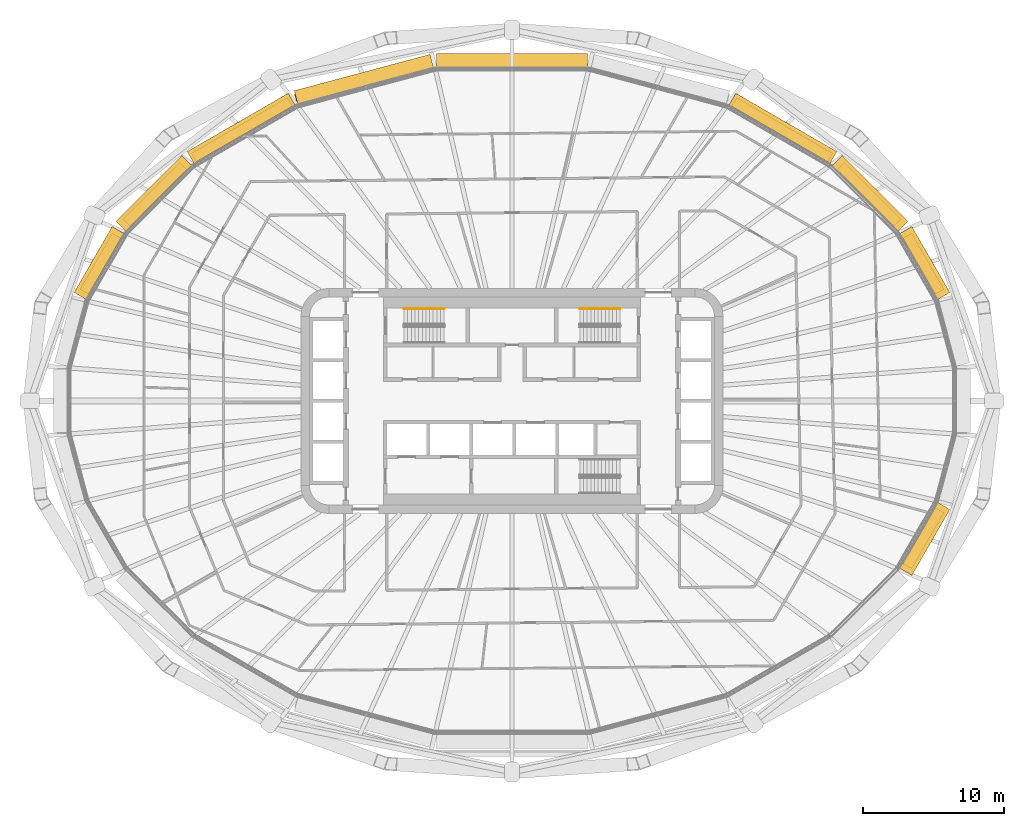
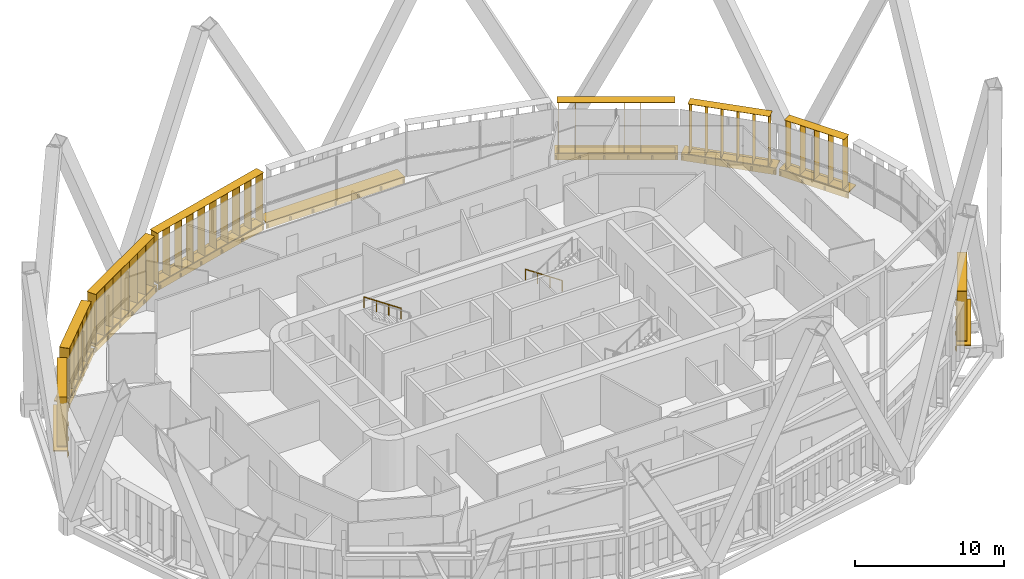
# One storey, part 24 of 25: 17 shading devices, 2 railings.
"""IFC4 building model written with IfcOpenShell, lengths in metres."""

from ifc_helpers import new_model, si_unit, direction, frame, origin, origin_2d, place, context, subcontext, project, spatial, rectangle, circle, extrude, material, type_object, element, save


model = new_model("IFC4")

# Units and contexts
model_context = context("Model", 3, precision=1e-05, world=origin(), true_north=direction((0.0, 1.0)))
body_context = subcontext(model_context, "Body", "Model", "MODEL_VIEW")
ifc_project = project(units=[si_unit("LENGTHUNIT", "METRE"), si_unit("AREAUNIT", "SQUARE_METRE"), si_unit("VOLUMEUNIT", "CUBIC_METRE"), si_unit("PLANEANGLEUNIT", "RADIAN"), si_unit("MASSUNIT", "GRAM", prefix="KILO")], contexts=[model_context])

# Site, building, storey
site_placement = place(None, origin())
site = spatial("IfcSite", under=ifc_project, at=site_placement, CompositionType="ELEMENT")
building_placement = place(site_placement, origin())
building = spatial("IfcBuilding", under=site, at=building_placement, Name="Sahrelin Media Tower", CompositionType="ELEMENT")
storey_placement = place(building_placement, frame((0.0, 0.0, 79.800048828125)))
storey = spatial("IfcBuildingStorey", under=building, at=storey_placement, Name="L14", CompositionType="ELEMENT", Elevation=79.800048828125)

# Shading devices
ifc_material_1 = material(Name="Champagne anodised aluminium 6063-T6", Category="aluminium")
shading_device_type_1 = type_object("IfcShadingDeviceType", Name="Fin cassette", PredefinedType="USERDEFINED", material=ifc_material_1)
placement_1 = place(storey_placement, frame((28.876708984375, 9.5380859375, 0.0), z_axis=(0.0, 0.0, 1.0), x_axis=(0.500011000363, -0.866019052629, 0.0)))
element("IfcShadingDevice", 1, at=placement_1, inside=storey, type_object=shading_device_type_1, Name="L14:FIN:L14-02", ObjectType="FIN", PredefinedType="USERDEFINED", context=body_context, shape_type="SweptSolid", body=[
    extrude(rectangle(XDim=4.60009765625, YDim=0.699951171875, at=origin_2d()), frame((0.0, 0.419921875, 0.0)), (0.0, 0.0, 1.0), 0.02001953125),
    extrude(rectangle(XDim=4.60009765625, YDim=0.699951171875, at=origin_2d()), frame((0.0, 0.419921875, 4.10009765625)), (0.0, 0.0, 1.0), 0.02001953125),
    extrude(rectangle(XDim=0.02001953125, YDim=0.699951171875, at=origin_2d()), frame((-2.199951171875, 0.419921875, 0.010009765625), z_axis=(0.0, 0.0, 1.0), x_axis=(1.0, 0.0, 0.0)), (0.0, 0.0, 1.0), 4.10009765625),
    extrude(rectangle(XDim=0.02001953125, YDim=0.699951171875, at=origin_2d()), frame((-1.10009765625, 0.419921875, 0.010009765625), z_axis=(0.0, 0.0, 1.0), x_axis=(1.0, 0.0, 0.0)), (0.0, 0.0, 1.0), 4.10009765625),
    extrude(rectangle(XDim=0.02001953125, YDim=0.699951171875, at=origin_2d()), frame((0.0, 0.419921875, 0.010009765625), z_axis=(0.0, 0.0, 1.0), x_axis=(1.0, 0.0, 0.0)), (0.0, 0.0, 1.0), 4.10009765625),
    extrude(rectangle(XDim=0.02001953125, YDim=0.699951171875, at=origin_2d()), frame((1.10009765625, 0.419921875, 0.010009765625), z_axis=(0.0, 0.0, 1.0), x_axis=(1.0, 0.0, 0.0)), (0.0, 0.0, 1.0), 4.10009765625),
    extrude(rectangle(XDim=0.02001953125, YDim=0.699951171875, at=origin_2d()), frame((2.199951171875, 0.419921875, 0.010009765625), z_axis=(0.0, 0.0, 1.0), x_axis=(1.0, 0.0, 0.0)), (0.0, 0.0, 1.0), 4.10009765625),
])
placement_2 = place(storey_placement, frame((25.067138671875, 14.373291015625, 0.0), z_axis=(0.0, 0.0, 1.0), x_axis=(0.707106781187, -0.707106781187, 0.0)))
element("IfcShadingDevice", 2, at=placement_2, inside=storey, type_object=shading_device_type_1, Name="L14:FIN:L14-03", ObjectType="FIN", PredefinedType="USERDEFINED", context=body_context, shape_type="SweptSolid", body=[
    extrude(rectangle(XDim=5.699951171875, YDim=0.699951171875, at=origin_2d()), frame((0.0, 0.419921875, 0.0)), (0.0, 0.0, 1.0), 0.02001953125),
    extrude(rectangle(XDim=5.699951171875, YDim=0.699951171875, at=origin_2d()), frame((0.0, 0.419921875, 4.10009765625)), (0.0, 0.0, 1.0), 0.02001953125),
    extrude(rectangle(XDim=0.02001953125, YDim=0.699951171875, at=origin_2d()), frame((-2.75, 0.419921875, 0.010009765625), z_axis=(0.0, 0.0, 1.0), x_axis=(1.0, 0.0, 0.0)), (0.0, 0.0, 1.0), 4.10009765625),
    extrude(rectangle(XDim=0.02001953125, YDim=0.699951171875, at=origin_2d()), frame((-1.64990234375, 0.419921875, 0.010009765625), z_axis=(0.0, 0.0, 1.0), x_axis=(1.0, 0.0, 0.0)), (0.0, 0.0, 1.0), 4.10009765625),
    extrude(rectangle(XDim=0.02001953125, YDim=0.699951171875, at=origin_2d()), frame((-0.550048828125, 0.419921875, 0.010009765625), z_axis=(0.0, 0.0, 1.0), x_axis=(1.0, 0.0, 0.0)), (0.0, 0.0, 1.0), 4.10009765625),
    extrude(rectangle(XDim=0.02001953125, YDim=0.699951171875, at=origin_2d()), frame((0.550048828125, 0.419921875, 0.010009765625), z_axis=(0.0, 0.0, 1.0), x_axis=(1.0, 0.0, 0.0)), (0.0, 0.0, 1.0), 4.10009765625),
    extrude(rectangle(XDim=0.02001953125, YDim=0.699951171875, at=origin_2d()), frame((1.64990234375, 0.419921875, 0.010009765625), z_axis=(0.0, 0.0, 1.0), x_axis=(1.0, 0.0, 0.0)), (0.0, 0.0, 1.0), 4.10009765625),
    extrude(rectangle(XDim=0.02001953125, YDim=0.699951171875, at=origin_2d()), frame((2.75, 0.419921875, 0.010009765625), z_axis=(0.0, 0.0, 1.0), x_axis=(1.0, 0.0, 0.0)), (0.0, 0.0, 1.0), 4.10009765625),
])
placement_3 = place(storey_placement, frame((18.980712890625, 18.905029296875, 0.0), z_axis=(0.0, 0.0, 1.0), x_axis=(0.866019052629, -0.500011000363, 0.0)))
element("IfcShadingDevice", 3, at=placement_3, inside=storey, type_object=shading_device_type_1, Name="L14:FIN:L14-04", ObjectType="FIN", PredefinedType="USERDEFINED", context=body_context, shape_type="SweptSolid", body=[
    extrude(rectangle(XDim=7.89990234375, YDim=0.699951171875, at=origin_2d()), frame((0.0, 0.419921875, 0.0)), (0.0, 0.0, 1.0), 0.02001953125),
    extrude(rectangle(XDim=7.89990234375, YDim=0.699951171875, at=origin_2d()), frame((0.0, 0.419921875, 4.10009765625)), (0.0, 0.0, 1.0), 0.02001953125),
    extrude(rectangle(XDim=0.02001953125, YDim=0.699951171875, at=origin_2d()), frame((-3.85009765625, 0.419921875, 0.010009765625), z_axis=(0.0, 0.0, 1.0), x_axis=(1.0, 0.0, 0.0)), (0.0, 0.0, 1.0), 4.10009765625),
    extrude(rectangle(XDim=0.02001953125, YDim=0.699951171875, at=origin_2d()), frame((-2.75, 0.419921875, 0.010009765625), z_axis=(0.0, 0.0, 1.0), x_axis=(1.0, 0.0, 0.0)), (0.0, 0.0, 1.0), 4.10009765625),
    extrude(rectangle(XDim=0.02001953125, YDim=0.699951171875, at=origin_2d()), frame((-1.64990234375, 0.419921875, 0.010009765625), z_axis=(0.0, 0.0, 1.0), x_axis=(1.0, 0.0, 0.0)), (0.0, 0.0, 1.0), 4.10009765625),
    extrude(rectangle(XDim=0.02001953125, YDim=0.699951171875, at=origin_2d()), frame((-0.550048828125, 0.419921875, 0.010009765625), z_axis=(0.0, 0.0, 1.0), x_axis=(1.0, 0.0, 0.0)), (0.0, 0.0, 1.0), 4.10009765625),
    extrude(rectangle(XDim=0.02001953125, YDim=0.699951171875, at=origin_2d()), frame((0.550048828125, 0.419921875, 0.010009765625), z_axis=(0.0, 0.0, 1.0), x_axis=(1.0, 0.0, 0.0)), (0.0, 0.0, 1.0), 4.10009765625),
    extrude(rectangle(XDim=0.02001953125, YDim=0.699951171875, at=origin_2d()), frame((1.64990234375, 0.419921875, 0.010009765625), z_axis=(0.0, 0.0, 1.0), x_axis=(1.0, 0.0, 0.0)), (0.0, 0.0, 1.0), 4.10009765625),
    extrude(rectangle(XDim=0.02001953125, YDim=0.699951171875, at=origin_2d()), frame((2.75, 0.419921875, 0.010009765625), z_axis=(0.0, 0.0, 1.0), x_axis=(1.0, 0.0, 0.0)), (0.0, 0.0, 1.0), 4.10009765625),
    extrude(rectangle(XDim=0.02001953125, YDim=0.699951171875, at=origin_2d()), frame((3.85009765625, 0.419921875, 0.010009765625), z_axis=(0.0, 0.0, 1.0), x_axis=(1.0, 0.0, 0.0)), (0.0, 0.0, 1.0), 4.10009765625),
])
placement_4 = place(storey_placement, frame((-10.385009765625, 22.346435546875, 0.0), z_axis=(0.0, 0.0, 1.0), x_axis=(0.965928857556, 0.258807731996, 0.0)))
element("IfcShadingDevice", 4, at=placement_4, inside=storey, type_object=shading_device_type_1, Name="L14:FIN:L14-07", ObjectType="FIN", PredefinedType="USERDEFINED", context=body_context, shape_type="SweptSolid", body=[
    extrude(rectangle(XDim=10.10009765625, YDim=0.699951171875, at=origin_2d()), frame((0.0, 0.419921875, 0.0)), (0.0, 0.0, 1.0), 0.02001953125),
    extrude(rectangle(XDim=10.10009765625, YDim=0.699951171875, at=origin_2d()), frame((0.0, 0.419921875, 4.10009765625)), (0.0, 0.0, 1.0), 0.02001953125),
    extrude(rectangle(XDim=0.02001953125, YDim=0.699951171875, at=origin_2d()), frame((-4.949951171875, 0.419921875, 0.010009765625), z_axis=(0.0, 0.0, 1.0), x_axis=(1.0, 0.0, 0.0)), (0.0, 0.0, 1.0), 4.10009765625),
    extrude(rectangle(XDim=0.02001953125, YDim=0.699951171875, at=origin_2d()), frame((-3.85009765625, 0.419921875, 0.010009765625), z_axis=(0.0, 0.0, 1.0), x_axis=(1.0, 0.0, 0.0)), (0.0, 0.0, 1.0), 4.10009765625),
    extrude(rectangle(XDim=0.02001953125, YDim=0.699951171875, at=origin_2d()), frame((-2.75, 0.419921875, 0.010009765625), z_axis=(0.0, 0.0, 1.0), x_axis=(1.0, 0.0, 0.0)), (0.0, 0.0, 1.0), 4.10009765625),
    extrude(rectangle(XDim=0.02001953125, YDim=0.699951171875, at=origin_2d()), frame((-1.64990234375, 0.419921875, 0.010009765625), z_axis=(0.0, 0.0, 1.0), x_axis=(1.0, 0.0, 0.0)), (0.0, 0.0, 1.0), 4.10009765625),
    extrude(rectangle(XDim=0.02001953125, YDim=0.699951171875, at=origin_2d()), frame((-0.550048828125, 0.419921875, 0.010009765625), z_axis=(0.0, 0.0, 1.0), x_axis=(1.0, 0.0, 0.0)), (0.0, 0.0, 1.0), 4.10009765625),
    extrude(rectangle(XDim=0.02001953125, YDim=0.699951171875, at=origin_2d()), frame((0.550048828125, 0.419921875, 0.010009765625), z_axis=(0.0, 0.0, 1.0), x_axis=(1.0, 0.0, 0.0)), (0.0, 0.0, 1.0), 4.10009765625),
    extrude(rectangle(XDim=0.02001953125, YDim=0.699951171875, at=origin_2d()), frame((1.64990234375, 0.419921875, 0.010009765625), z_axis=(0.0, 0.0, 1.0), x_axis=(1.0, 0.0, 0.0)), (0.0, 0.0, 1.0), 4.10009765625),
    extrude(rectangle(XDim=0.02001953125, YDim=0.699951171875, at=origin_2d()), frame((2.75, 0.419921875, 0.010009765625), z_axis=(0.0, 0.0, 1.0), x_axis=(1.0, 0.0, 0.0)), (0.0, 0.0, 1.0), 4.10009765625),
    extrude(rectangle(XDim=0.02001953125, YDim=0.699951171875, at=origin_2d()), frame((3.85009765625, 0.419921875, 0.010009765625), z_axis=(0.0, 0.0, 1.0), x_axis=(1.0, 0.0, 0.0)), (0.0, 0.0, 1.0), 4.10009765625),
    extrude(rectangle(XDim=0.02001953125, YDim=0.699951171875, at=origin_2d()), frame((4.949951171875, 0.419921875, 0.010009765625), z_axis=(0.0, 0.0, 1.0), x_axis=(1.0, 0.0, 0.0)), (0.0, 0.0, 1.0), 4.10009765625),
])
placement_5 = place(storey_placement, frame((-18.98095703125, 18.9052734375, 0.0), z_axis=(0.0, 0.0, 1.0), x_axis=(0.866019052629, 0.500011000363, 0.0)))
element("IfcShadingDevice", 5, at=placement_5, inside=storey, type_object=shading_device_type_1, Name="L14:FIN:L14-08", ObjectType="FIN", PredefinedType="USERDEFINED", context=body_context, shape_type="SweptSolid", body=[
    extrude(rectangle(XDim=7.89990234375, YDim=0.699951171875, at=origin_2d()), frame((0.0, 0.419921875, 0.0)), (0.0, 0.0, 1.0), 0.02001953125),
    extrude(rectangle(XDim=7.89990234375, YDim=0.699951171875, at=origin_2d()), frame((0.0, 0.419921875, 4.10009765625)), (0.0, 0.0, 1.0), 0.02001953125),
    extrude(rectangle(XDim=0.02001953125, YDim=0.699951171875, at=origin_2d()), frame((-3.85009765625, 0.419921875, 0.010009765625), z_axis=(0.0, 0.0, 1.0), x_axis=(1.0, 0.0, 0.0)), (0.0, 0.0, 1.0), 4.10009765625),
    extrude(rectangle(XDim=0.02001953125, YDim=0.699951171875, at=origin_2d()), frame((-2.75, 0.419921875, 0.010009765625), z_axis=(0.0, 0.0, 1.0), x_axis=(1.0, 0.0, 0.0)), (0.0, 0.0, 1.0), 4.10009765625),
    extrude(rectangle(XDim=0.02001953125, YDim=0.699951171875, at=origin_2d()), frame((-1.64990234375, 0.419921875, 0.010009765625), z_axis=(0.0, 0.0, 1.0), x_axis=(1.0, 0.0, 0.0)), (0.0, 0.0, 1.0), 4.10009765625),
    extrude(rectangle(XDim=0.02001953125, YDim=0.699951171875, at=origin_2d()), frame((-0.550048828125, 0.419921875, 0.010009765625), z_axis=(0.0, 0.0, 1.0), x_axis=(1.0, 0.0, 0.0)), (0.0, 0.0, 1.0), 4.10009765625),
    extrude(rectangle(XDim=0.02001953125, YDim=0.699951171875, at=origin_2d()), frame((0.550048828125, 0.419921875, 0.010009765625), z_axis=(0.0, 0.0, 1.0), x_axis=(1.0, 0.0, 0.0)), (0.0, 0.0, 1.0), 4.10009765625),
    extrude(rectangle(XDim=0.02001953125, YDim=0.699951171875, at=origin_2d()), frame((1.64990234375, 0.419921875, 0.010009765625), z_axis=(0.0, 0.0, 1.0), x_axis=(1.0, 0.0, 0.0)), (0.0, 0.0, 1.0), 4.10009765625),
    extrude(rectangle(XDim=0.02001953125, YDim=0.699951171875, at=origin_2d()), frame((2.75, 0.419921875, 0.010009765625), z_axis=(0.0, 0.0, 1.0), x_axis=(1.0, 0.0, 0.0)), (0.0, 0.0, 1.0), 4.10009765625),
    extrude(rectangle(XDim=0.02001953125, YDim=0.699951171875, at=origin_2d()), frame((3.85009765625, 0.419921875, 0.010009765625), z_axis=(0.0, 0.0, 1.0), x_axis=(1.0, 0.0, 0.0)), (0.0, 0.0, 1.0), 4.10009765625),
])
placement_6 = place(storey_placement, frame((-25.067138671875, 14.373291015625, 0.0), z_axis=(0.0, 0.0, 1.0), x_axis=(0.707106781187, 0.707106781187, 0.0)))
element("IfcShadingDevice", 6, at=placement_6, inside=storey, type_object=shading_device_type_1, Name="L14:FIN:L14-09", ObjectType="FIN", PredefinedType="USERDEFINED", context=body_context, shape_type="SweptSolid", body=[
    extrude(rectangle(XDim=5.699951171875, YDim=0.699951171875, at=origin_2d()), frame((0.0, 0.419921875, 0.0)), (0.0, 0.0, 1.0), 0.02001953125),
    extrude(rectangle(XDim=5.699951171875, YDim=0.699951171875, at=origin_2d()), frame((0.0, 0.419921875, 4.10009765625)), (0.0, 0.0, 1.0), 0.02001953125),
    extrude(rectangle(XDim=0.02001953125, YDim=0.699951171875, at=origin_2d()), frame((-2.75, 0.419921875, 0.010009765625), z_axis=(0.0, 0.0, 1.0), x_axis=(1.0, 0.0, 0.0)), (0.0, 0.0, 1.0), 4.10009765625),
    extrude(rectangle(XDim=0.02001953125, YDim=0.699951171875, at=origin_2d()), frame((-1.64990234375, 0.419921875, 0.010009765625), z_axis=(0.0, 0.0, 1.0), x_axis=(1.0, 0.0, 0.0)), (0.0, 0.0, 1.0), 4.10009765625),
    extrude(rectangle(XDim=0.02001953125, YDim=0.699951171875, at=origin_2d()), frame((-0.550048828125, 0.419921875, 0.010009765625), z_axis=(0.0, 0.0, 1.0), x_axis=(1.0, 0.0, 0.0)), (0.0, 0.0, 1.0), 4.10009765625),
    extrude(rectangle(XDim=0.02001953125, YDim=0.699951171875, at=origin_2d()), frame((0.550048828125, 0.419921875, 0.010009765625), z_axis=(0.0, 0.0, 1.0), x_axis=(1.0, 0.0, 0.0)), (0.0, 0.0, 1.0), 4.10009765625),
    extrude(rectangle(XDim=0.02001953125, YDim=0.699951171875, at=origin_2d()), frame((1.64990234375, 0.419921875, 0.010009765625), z_axis=(0.0, 0.0, 1.0), x_axis=(1.0, 0.0, 0.0)), (0.0, 0.0, 1.0), 4.10009765625),
    extrude(rectangle(XDim=0.02001953125, YDim=0.699951171875, at=origin_2d()), frame((2.75, 0.419921875, 0.010009765625), z_axis=(0.0, 0.0, 1.0), x_axis=(1.0, 0.0, 0.0)), (0.0, 0.0, 1.0), 4.10009765625),
])
placement_7 = place(storey_placement, frame((-28.876708984375, 9.537841796875, 0.0), z_axis=(0.0, 0.0, 1.0), x_axis=(0.500011000363, 0.866019052629, 0.0)))
element("IfcShadingDevice", 7, at=placement_7, inside=storey, type_object=shading_device_type_1, Name="L14:FIN:L14-10", ObjectType="FIN", PredefinedType="USERDEFINED", context=body_context, shape_type="SweptSolid", body=[
    extrude(rectangle(XDim=4.60009765625, YDim=0.699951171875, at=origin_2d()), frame((0.0, 0.419921875, 0.0)), (0.0, 0.0, 1.0), 0.02001953125),
    extrude(rectangle(XDim=4.60009765625, YDim=0.699951171875, at=origin_2d()), frame((0.0, 0.419921875, 4.10009765625)), (0.0, 0.0, 1.0), 0.02001953125),
    extrude(rectangle(XDim=0.02001953125, YDim=0.699951171875, at=origin_2d()), frame((-2.199951171875, 0.419921875, 0.010009765625), z_axis=(0.0, 0.0, 1.0), x_axis=(1.0, 0.0, 0.0)), (0.0, 0.0, 1.0), 4.10009765625),
    extrude(rectangle(XDim=0.02001953125, YDim=0.699951171875, at=origin_2d()), frame((-1.10009765625, 0.419921875, 0.010009765625), z_axis=(0.0, 0.0, 1.0), x_axis=(1.0, 0.0, 0.0)), (0.0, 0.0, 1.0), 4.10009765625),
    extrude(rectangle(XDim=0.02001953125, YDim=0.699951171875, at=origin_2d()), frame((0.0, 0.419921875, 0.010009765625), z_axis=(0.0, 0.0, 1.0), x_axis=(1.0, 0.0, 0.0)), (0.0, 0.0, 1.0), 4.10009765625),
    extrude(rectangle(XDim=0.02001953125, YDim=0.699951171875, at=origin_2d()), frame((1.10009765625, 0.419921875, 0.010009765625), z_axis=(0.0, 0.0, 1.0), x_axis=(1.0, 0.0, 0.0)), (0.0, 0.0, 1.0), 4.10009765625),
    extrude(rectangle(XDim=0.02001953125, YDim=0.699951171875, at=origin_2d()), frame((2.199951171875, 0.419921875, 0.010009765625), z_axis=(0.0, 0.0, 1.0), x_axis=(1.0, 0.0, 0.0)), (0.0, 0.0, 1.0), 4.10009765625),
])
placement_8 = place(storey_placement, frame((28.876708984375, -9.537841796875, 0.0), z_axis=(0.0, 0.0, 1.0), x_axis=(-0.500011000363, -0.866019052629, 0.0)))
element("IfcShadingDevice", 8, at=placement_8, inside=storey, type_object=shading_device_type_1, Name="L14:FIN:L14-22", ObjectType="FIN", PredefinedType="USERDEFINED", context=body_context, shape_type="SweptSolid", body=[
    extrude(rectangle(XDim=4.60009765625, YDim=0.699951171875, at=origin_2d()), frame((0.0, 0.419921875, 0.0)), (0.0, 0.0, 1.0), 0.02001953125),
    extrude(rectangle(XDim=4.60009765625, YDim=0.699951171875, at=origin_2d()), frame((0.0, 0.419921875, 4.10009765625)), (0.0, 0.0, 1.0), 0.02001953125),
    extrude(rectangle(XDim=0.02001953125, YDim=0.699951171875, at=origin_2d()), frame((-2.199951171875, 0.419921875, 0.010009765625), z_axis=(0.0, 0.0, 1.0), x_axis=(1.0, 0.0, 0.0)), (0.0, 0.0, 1.0), 4.10009765625),
    extrude(rectangle(XDim=0.02001953125, YDim=0.699951171875, at=origin_2d()), frame((-1.10009765625, 0.419921875, 0.010009765625), z_axis=(0.0, 0.0, 1.0), x_axis=(1.0, 0.0, 0.0)), (0.0, 0.0, 1.0), 4.10009765625),
    extrude(rectangle(XDim=0.02001953125, YDim=0.699951171875, at=origin_2d()), frame((0.0, 0.419921875, 0.010009765625), z_axis=(0.0, 0.0, 1.0), x_axis=(1.0, 0.0, 0.0)), (0.0, 0.0, 1.0), 4.10009765625),
    extrude(rectangle(XDim=0.02001953125, YDim=0.699951171875, at=origin_2d()), frame((1.10009765625, 0.419921875, 0.010009765625), z_axis=(0.0, 0.0, 1.0), x_axis=(1.0, 0.0, 0.0)), (0.0, 0.0, 1.0), 4.10009765625),
    extrude(rectangle(XDim=0.02001953125, YDim=0.699951171875, at=origin_2d()), frame((2.199951171875, 0.419921875, 0.010009765625), z_axis=(0.0, 0.0, 1.0), x_axis=(1.0, 0.0, 0.0)), (0.0, 0.0, 1.0), 4.10009765625),
])

# Railings
ifc_material_2 = material(Name="Steel S355", Category="steel")
railing_type = type_object("IfcRailingType", Name="Stair handrail 900", PredefinedType="HANDRAIL", material=ifc_material_2)
railing_1_placement = place(storey_placement, frame((-4.81494140625, 6.550048828125, 2.27490234375)))
element("IfcRailing", 9, at=railing_1_placement, inside=storey, type_object=railing_type, Name="L14 ST1 stair handrail 2", PredefinedType="HANDRAIL", context=body_context, shape_type="SweptSolid", body=[
    extrude(circle(Radius=0.02392578125, at=origin_2d()), frame((0.0, 0.0, 0.8759765625), z_axis=(-0.829590901723, 0.0, 0.558371682465), x_axis=(0.0, -1.0, 0.0)), (0.0, 0.0, 1.0), 3.447509765625),
    extrude(circle(Radius=0.02099609375, at=origin_2d()), origin(), (0.0, 0.0, 1.0), 0.851806640625),
    extrude(circle(Radius=0.02099609375, at=origin_2d()), frame((-0.953369140625, 0.0, 0.6416015625)), (0.0, 0.0, 1.0), 0.851806640625),
    extrude(circle(Radius=0.02099609375, at=origin_2d()), frame((-1.90673828125, 0.0, 1.283447265625)), (0.0, 0.0, 1.0), 0.851806640625),
    extrude(circle(Radius=0.02099609375, at=origin_2d()), frame((-2.860107421875, 0.0, 1.925048828125)), (0.0, 0.0, 1.0), 0.851806640625),
])
railing_2_placement = place(storey_placement, frame((7.675048828125, 6.550048828125, 0.175048828125)))
element("IfcRailing", 10, at=railing_2_placement, inside=storey, type_object=railing_type, Name="L14 ST3 stair handrail 1", PredefinedType="HANDRAIL", context=body_context, shape_type="SweptSolid", body=[
    extrude(circle(Radius=0.02392578125, at=origin_2d()), frame((0.0, 0.0, 0.8759765625), z_axis=(-0.829623704247, 0.0, 0.558322943601), x_axis=(0.0, -1.0, 0.0)), (0.0, 0.0, 1.0), 3.447509765625),
    extrude(circle(Radius=0.02099609375, at=origin_2d()), origin(), (0.0, 0.0, 1.0), 0.851806640625),
    extrude(circle(Radius=0.02099609375, at=origin_2d()), frame((-0.953369140625, 0.0, 0.6416015625)), (0.0, 0.0, 1.0), 0.851806640625),
    extrude(circle(Radius=0.02099609375, at=origin_2d()), frame((-1.90673828125, 0.0, 1.283203125)), (0.0, 0.0, 1.0), 0.851806640625),
    extrude(circle(Radius=0.02099609375, at=origin_2d()), frame((-2.860107421875, 0.0, 1.9248046875)), (0.0, 0.0, 1.0), 0.851806640625),
])

# Shading devices
shading_device_type_2 = type_object("IfcShadingDeviceType", Name="Sunshade band", PredefinedType="USERDEFINED", material=ifc_material_1)
element("IfcShadingDevice", 11, at=placement_1, inside=storey, type_object=shading_device_type_2, Name="L14:SUN:L14-02", ObjectType="SUNSHADE", PredefinedType="USERDEFINED", context=body_context, shape_type="SweptSolid", body=[
    extrude(rectangle(XDim=5.40478515625, YDim=0.050048828125, at=origin_2d()), frame((0.0, 0.044921875, -0.55126953125)), (0.0, 0.0, 1.0), 0.471435546875),
    extrude(rectangle(XDim=5.40478515625, YDim=1.0, at=origin_2d()), frame((0.0, 0.52001953125, -0.080078125)), (0.0, 0.0, 1.0), 0.080078125),
    extrude(rectangle(XDim=0.10009765625, YDim=0.074951171875, at=origin_2d()), frame((-2.602294921875, -0.017578125, -0.47021484375)), (0.0, 0.0, 1.0), 0.300048828125),
    extrude(rectangle(XDim=0.10009765625, YDim=0.074951171875, at=origin_2d()), frame((-0.867431640625, -0.017578125, -0.47021484375)), (0.0, 0.0, 1.0), 0.300048828125),
    extrude(rectangle(XDim=0.10009765625, YDim=0.074951171875, at=origin_2d()), frame((0.867431640625, -0.017578125, -0.47021484375)), (0.0, 0.0, 1.0), 0.300048828125),
    extrude(rectangle(XDim=0.10009765625, YDim=0.074951171875, at=origin_2d()), frame((2.602294921875, -0.017578125, -0.47021484375)), (0.0, 0.0, 1.0), 0.300048828125),
])
element("IfcShadingDevice", 12, at=placement_2, inside=storey, type_object=shading_device_type_2, Name="L14:SUN:L14-03", ObjectType="SUNSHADE", PredefinedType="USERDEFINED", context=body_context, shape_type="SweptSolid", body=[
    extrude(rectangle(XDim=6.612060546875, YDim=0.050048828125, at=origin_2d()), frame((0.0, 0.044921875, -0.55126953125)), (0.0, 0.0, 1.0), 0.471435546875),
    extrude(rectangle(XDim=6.612060546875, YDim=1.0, at=origin_2d()), frame((0.0, 0.52001953125, -0.080078125)), (0.0, 0.0, 1.0), 0.080078125),
    extrude(rectangle(XDim=0.10009765625, YDim=0.074951171875, at=origin_2d()), frame((-3.2060546875, -0.017578125, -0.47021484375)), (0.0, 0.0, 1.0), 0.300048828125),
    extrude(rectangle(XDim=0.10009765625, YDim=0.074951171875, at=origin_2d()), frame((-1.60302734375, -0.017578125, -0.47021484375)), (0.0, 0.0, 1.0), 0.300048828125),
    extrude(rectangle(XDim=0.10009765625, YDim=0.074951171875, at=origin_2d()), frame((0.0, -0.017578125, -0.47021484375)), (0.0, 0.0, 1.0), 0.300048828125),
    extrude(rectangle(XDim=0.10009765625, YDim=0.074951171875, at=origin_2d()), frame((1.60302734375, -0.017578125, -0.47021484375)), (0.0, 0.0, 1.0), 0.300048828125),
    extrude(rectangle(XDim=0.10009765625, YDim=0.074951171875, at=origin_2d()), frame((3.2060546875, -0.017578125, -0.47021484375)), (0.0, 0.0, 1.0), 0.300048828125),
])
element("IfcShadingDevice", 13, at=placement_3, inside=storey, type_object=shading_device_type_2, Name="L14:SUN:L14-04", ObjectType="SUNSHADE", PredefinedType="USERDEFINED", context=body_context, shape_type="SweptSolid", body=[
    extrude(rectangle(XDim=8.293701171875, YDim=0.050048828125, at=origin_2d()), frame((0.0, 0.044921875, -0.55126953125)), (0.0, 0.0, 1.0), 0.471435546875),
    extrude(rectangle(XDim=8.293701171875, YDim=1.0, at=origin_2d()), frame((0.0, 0.52001953125, -0.080078125)), (0.0, 0.0, 1.0), 0.080078125),
    extrude(rectangle(XDim=0.10009765625, YDim=0.074951171875, at=origin_2d()), frame((-4.046875, -0.017578125, -0.47021484375)), (0.0, 0.0, 1.0), 0.300048828125),
    extrude(rectangle(XDim=0.10009765625, YDim=0.074951171875, at=origin_2d()), frame((-2.42822265625, -0.017578125, -0.47021484375)), (0.0, 0.0, 1.0), 0.300048828125),
    extrude(rectangle(XDim=0.10009765625, YDim=0.074951171875, at=origin_2d()), frame((-0.809326171875, -0.017578125, -0.47021484375)), (0.0, 0.0, 1.0), 0.300048828125),
    extrude(rectangle(XDim=0.10009765625, YDim=0.074951171875, at=origin_2d()), frame((0.809326171875, -0.017578125, -0.47021484375)), (0.0, 0.0, 1.0), 0.300048828125),
    extrude(rectangle(XDim=0.10009765625, YDim=0.074951171875, at=origin_2d()), frame((2.42822265625, -0.017578125, -0.47021484375)), (0.0, 0.0, 1.0), 0.300048828125),
    extrude(rectangle(XDim=0.10009765625, YDim=0.074951171875, at=origin_2d()), frame((4.046875, -0.017578125, -0.47021484375)), (0.0, 0.0, 1.0), 0.300048828125),
])
shading_device_12_placement = place(storey_placement, frame((0.0, 23.6640625, 0.0), z_axis=(0.0, 0.0, 1.0), x_axis=(1.0, 0.0, 0.0)))
element("IfcShadingDevice", 14, at=shading_device_12_placement, inside=storey, type_object=shading_device_type_2, Name="L14:SUN:L14-06", ObjectType="SUNSHADE", PredefinedType="USERDEFINED", context=body_context, shape_type="SweptSolid", body=[
    extrude(rectangle(XDim=10.734375, YDim=0.050048828125, at=origin_2d()), frame((0.0, 0.044921875, -0.55126953125)), (0.0, 0.0, 1.0), 0.471435546875),
    extrude(rectangle(XDim=10.734375, YDim=1.0, at=origin_2d()), frame((0.0, 0.52001953125, -0.080078125)), (0.0, 0.0, 1.0), 0.080078125),
    extrude(rectangle(XDim=0.10009765625, YDim=0.074951171875, at=origin_2d()), frame((-5.26708984375, -0.017578125, -0.47021484375)), (0.0, 0.0, 1.0), 0.300048828125),
    extrude(rectangle(XDim=0.10009765625, YDim=0.074951171875, at=origin_2d()), frame((-3.511474609375, -0.017578125, -0.47021484375)), (0.0, 0.0, 1.0), 0.300048828125),
    extrude(rectangle(XDim=0.10009765625, YDim=0.074951171875, at=origin_2d()), frame((-1.755615234375, -0.017578125, -0.47021484375)), (0.0, 0.0, 1.0), 0.300048828125),
    extrude(rectangle(XDim=0.10009765625, YDim=0.074951171875, at=origin_2d()), frame((0.0, -0.017578125, -0.47021484375)), (0.0, 0.0, 1.0), 0.300048828125),
    extrude(rectangle(XDim=0.10009765625, YDim=0.074951171875, at=origin_2d()), frame((1.755615234375, -0.017578125, -0.47021484375)), (0.0, 0.0, 1.0), 0.300048828125),
    extrude(rectangle(XDim=0.10009765625, YDim=0.074951171875, at=origin_2d()), frame((3.511474609375, -0.017578125, -0.47021484375)), (0.0, 0.0, 1.0), 0.300048828125),
    extrude(rectangle(XDim=0.10009765625, YDim=0.074951171875, at=origin_2d()), frame((5.26708984375, -0.017578125, -0.47021484375)), (0.0, 0.0, 1.0), 0.300048828125),
])
element("IfcShadingDevice", 15, at=placement_4, inside=storey, type_object=shading_device_type_2, Name="L14:SUN:L14-07", ObjectType="SUNSHADE", PredefinedType="USERDEFINED", context=body_context, shape_type="SweptSolid", body=[
    extrude(rectangle(XDim=9.982666015625, YDim=0.050048828125, at=origin_2d()), frame((0.0, 0.044921875, -0.55126953125)), (0.0, 0.0, 1.0), 0.471435546875),
    extrude(rectangle(XDim=9.982666015625, YDim=1.0, at=origin_2d()), frame((0.0, 0.52001953125, -0.080078125)), (0.0, 0.0, 1.0), 0.080078125),
    extrude(rectangle(XDim=0.10009765625, YDim=0.074951171875, at=origin_2d()), frame((-4.891357421875, -0.017578125, -0.47021484375)), (0.0, 0.0, 1.0), 0.300048828125),
    extrude(rectangle(XDim=0.10009765625, YDim=0.074951171875, at=origin_2d()), frame((-2.934814453125, -0.017578125, -0.47021484375)), (0.0, 0.0, 1.0), 0.300048828125),
    extrude(rectangle(XDim=0.10009765625, YDim=0.074951171875, at=origin_2d()), frame((-0.978271484375, -0.017578125, -0.47021484375)), (0.0, 0.0, 1.0), 0.300048828125),
    extrude(rectangle(XDim=0.10009765625, YDim=0.074951171875, at=origin_2d()), frame((0.978271484375, -0.017578125, -0.47021484375)), (0.0, 0.0, 1.0), 0.300048828125),
    extrude(rectangle(XDim=0.10009765625, YDim=0.074951171875, at=origin_2d()), frame((2.934814453125, -0.017578125, -0.47021484375)), (0.0, 0.0, 1.0), 0.300048828125),
    extrude(rectangle(XDim=0.10009765625, YDim=0.074951171875, at=origin_2d()), frame((4.891357421875, -0.017578125, -0.47021484375)), (0.0, 0.0, 1.0), 0.300048828125),
])
element("IfcShadingDevice", 16, at=placement_5, inside=storey, type_object=shading_device_type_2, Name="L14:SUN:L14-08", ObjectType="SUNSHADE", PredefinedType="USERDEFINED", context=body_context, shape_type="SweptSolid", body=[
    extrude(rectangle(XDim=8.293701171875, YDim=0.050048828125, at=origin_2d()), frame((0.0, 0.044921875, -0.55126953125)), (0.0, 0.0, 1.0), 0.471435546875),
    extrude(rectangle(XDim=8.293701171875, YDim=1.0, at=origin_2d()), frame((0.0, 0.52001953125, -0.080078125)), (0.0, 0.0, 1.0), 0.080078125),
    extrude(rectangle(XDim=0.10009765625, YDim=0.074951171875, at=origin_2d()), frame((-4.046875, -0.017578125, -0.47021484375)), (0.0, 0.0, 1.0), 0.300048828125),
    extrude(rectangle(XDim=0.10009765625, YDim=0.074951171875, at=origin_2d()), frame((-2.42822265625, -0.017578125, -0.47021484375)), (0.0, 0.0, 1.0), 0.300048828125),
    extrude(rectangle(XDim=0.10009765625, YDim=0.074951171875, at=origin_2d()), frame((-0.809326171875, -0.017578125, -0.47021484375)), (0.0, 0.0, 1.0), 0.300048828125),
    extrude(rectangle(XDim=0.10009765625, YDim=0.074951171875, at=origin_2d()), frame((0.809326171875, -0.017578125, -0.47021484375)), (0.0, 0.0, 1.0), 0.300048828125),
    extrude(rectangle(XDim=0.10009765625, YDim=0.074951171875, at=origin_2d()), frame((2.42822265625, -0.017578125, -0.47021484375)), (0.0, 0.0, 1.0), 0.300048828125),
    extrude(rectangle(XDim=0.10009765625, YDim=0.074951171875, at=origin_2d()), frame((4.046875, -0.017578125, -0.47021484375)), (0.0, 0.0, 1.0), 0.300048828125),
])
element("IfcShadingDevice", 17, at=placement_6, inside=storey, type_object=shading_device_type_2, Name="L14:SUN:L14-09", ObjectType="SUNSHADE", PredefinedType="USERDEFINED", context=body_context, shape_type="SweptSolid", body=[
    extrude(rectangle(XDim=6.612060546875, YDim=0.050048828125, at=origin_2d()), frame((0.0, 0.044921875, -0.55126953125)), (0.0, 0.0, 1.0), 0.471435546875),
    extrude(rectangle(XDim=6.612060546875, YDim=1.0, at=origin_2d()), frame((0.0, 0.52001953125, -0.080078125)), (0.0, 0.0, 1.0), 0.080078125),
    extrude(rectangle(XDim=0.10009765625, YDim=0.074951171875, at=origin_2d()), frame((-3.2060546875, -0.017578125, -0.47021484375)), (0.0, 0.0, 1.0), 0.300048828125),
    extrude(rectangle(XDim=0.10009765625, YDim=0.074951171875, at=origin_2d()), frame((-1.60302734375, -0.017578125, -0.47021484375)), (0.0, 0.0, 1.0), 0.300048828125),
    extrude(rectangle(XDim=0.10009765625, YDim=0.074951171875, at=origin_2d()), frame((0.0, -0.017578125, -0.47021484375)), (0.0, 0.0, 1.0), 0.300048828125),
    extrude(rectangle(XDim=0.10009765625, YDim=0.074951171875, at=origin_2d()), frame((1.60302734375, -0.017578125, -0.47021484375)), (0.0, 0.0, 1.0), 0.300048828125),
    extrude(rectangle(XDim=0.10009765625, YDim=0.074951171875, at=origin_2d()), frame((3.2060546875, -0.017578125, -0.47021484375)), (0.0, 0.0, 1.0), 0.300048828125),
])
element("IfcShadingDevice", 18, at=placement_7, inside=storey, type_object=shading_device_type_2, Name="L14:SUN:L14-10", ObjectType="SUNSHADE", PredefinedType="USERDEFINED", context=body_context, shape_type="SweptSolid", body=[
    extrude(rectangle(XDim=5.40478515625, YDim=0.050048828125, at=origin_2d()), frame((0.0, 0.044921875, -0.55126953125)), (0.0, 0.0, 1.0), 0.471435546875),
    extrude(rectangle(XDim=5.40478515625, YDim=1.0, at=origin_2d()), frame((0.0, 0.52001953125, -0.080078125)), (0.0, 0.0, 1.0), 0.080078125),
    extrude(rectangle(XDim=0.10009765625, YDim=0.074951171875, at=origin_2d()), frame((-2.602294921875, -0.017578125, -0.47021484375)), (0.0, 0.0, 1.0), 0.300048828125),
    extrude(rectangle(XDim=0.10009765625, YDim=0.074951171875, at=origin_2d()), frame((-0.867431640625, -0.017578125, -0.47021484375)), (0.0, 0.0, 1.0), 0.300048828125),
    extrude(rectangle(XDim=0.10009765625, YDim=0.074951171875, at=origin_2d()), frame((0.867431640625, -0.017578125, -0.47021484375)), (0.0, 0.0, 1.0), 0.300048828125),
    extrude(rectangle(XDim=0.10009765625, YDim=0.074951171875, at=origin_2d()), frame((2.602294921875, -0.017578125, -0.47021484375)), (0.0, 0.0, 1.0), 0.300048828125),
])
element("IfcShadingDevice", 19, at=placement_8, inside=storey, type_object=shading_device_type_2, Name="L14:SUN:L14-22", ObjectType="SUNSHADE", PredefinedType="USERDEFINED", context=body_context, shape_type="SweptSolid", body=[
    extrude(rectangle(XDim=5.40478515625, YDim=0.050048828125, at=origin_2d()), frame((0.0, 0.044921875, -0.55126953125)), (0.0, 0.0, 1.0), 0.471435546875),
    extrude(rectangle(XDim=5.40478515625, YDim=1.0, at=origin_2d()), frame((0.0, 0.52001953125, -0.080078125)), (0.0, 0.0, 1.0), 0.080078125),
    extrude(rectangle(XDim=0.10009765625, YDim=0.074951171875, at=origin_2d()), frame((-2.602294921875, -0.017578125, -0.47021484375)), (0.0, 0.0, 1.0), 0.300048828125),
    extrude(rectangle(XDim=0.10009765625, YDim=0.074951171875, at=origin_2d()), frame((-0.867431640625, -0.017578125, -0.47021484375)), (0.0, 0.0, 1.0), 0.300048828125),
    extrude(rectangle(XDim=0.10009765625, YDim=0.074951171875, at=origin_2d()), frame((0.867431640625, -0.017578125, -0.47021484375)), (0.0, 0.0, 1.0), 0.300048828125),
    extrude(rectangle(XDim=0.10009765625, YDim=0.074951171875, at=origin_2d()), frame((2.602294921875, -0.017578125, -0.47021484375)), (0.0, 0.0, 1.0), 0.300048828125),
])

save(model, "model.ifc")
